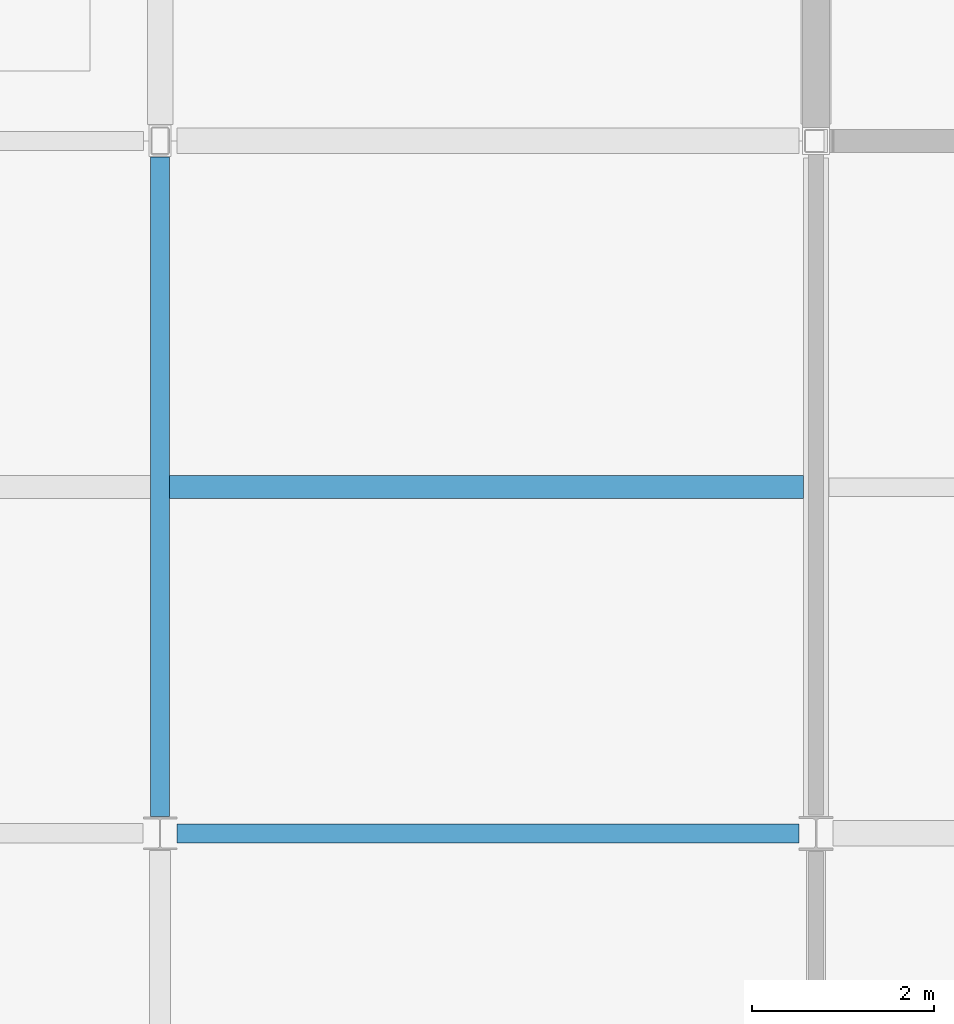
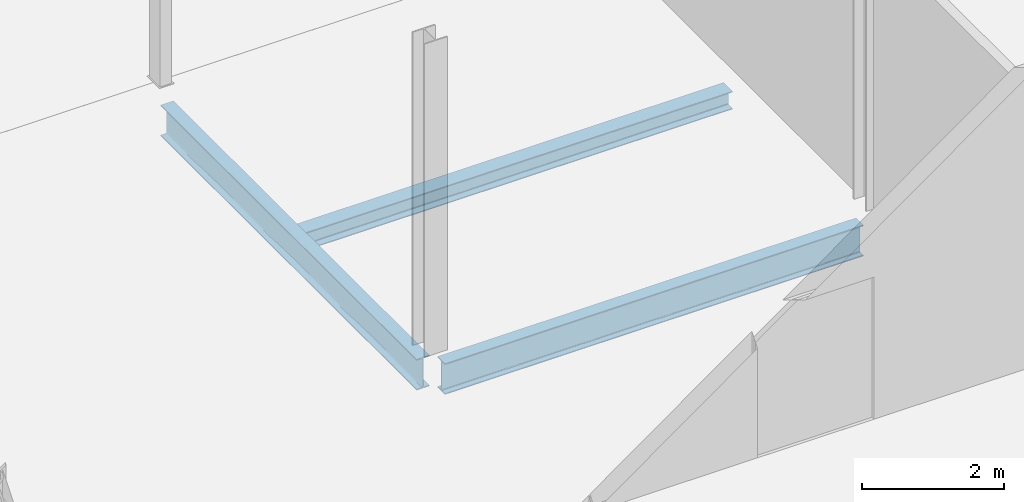
# One storey, part 67 of 229: 3 beams.
"""IFC4 building model written with IfcOpenShell, lengths in metres."""

from ifc_helpers import new_model, si_unit, direction, frame, origin, origin_2d, place, context, subcontext, project, spatial, i_section, extrude, material, material_profile, profile_set, type_object, element, save


model = new_model("IFC4")

# Units and contexts
model_context = context("Model", 3, precision=1e-05, world=origin(), true_north=direction((0.0, 1.0)))
body_context = subcontext(model_context, "Body", "Model", "MODEL_VIEW")
ifc_project = project(units=[si_unit("LENGTHUNIT", "METRE"), si_unit("AREAUNIT", "SQUARE_METRE"), si_unit("VOLUMEUNIT", "CUBIC_METRE"), si_unit("PLANEANGLEUNIT", "RADIAN"), si_unit("MASSUNIT", "GRAM", prefix="KILO")], contexts=[model_context])

# Site, building, storey
site_placement = place(None, origin())
site = spatial("IfcSite", under=ifc_project, at=site_placement, CompositionType="ELEMENT")
building_placement = place(site_placement, origin())
building = spatial("IfcBuilding", under=site, at=building_placement, Name="Calvrana Isthmian Art Gallery", CompositionType="ELEMENT")
storey_placement = place(building_placement, origin())
storey = spatial("IfcBuildingStorey", under=building, at=storey_placement, Name="L00", CompositionType="ELEMENT", Elevation=0.0)

# Beams
ifc_material = material(Name="Steel ASTM A992 Gr 50", Category="steel")
ifc_material_profile_1 = material_profile(ifc_material, i_section(OverallWidth=0.208984375, OverallDepth=0.532958984375, WebThickness=0.01025390625, FlangeThickness=0.015625, FilletRadius=0.02099609375, at=origin_2d()), Name="W21X62")
ifc_profile_set_1 = profile_set([ifc_material_profile_1], Name="Steel ASTM A992 Gr 50")
beam_type_1 = type_object("IfcBeamType", Name="BM-G-W21X62", PredefinedType="BEAM", material=ifc_profile_set_1)
beam_1_placement = place(storey_placement, frame((7.386474609375, 62.0, -0.551513671875), z_axis=(1.0, 0.0, 0.0), x_axis=(0.0, 1.0, 0.0)))
element("IfcBeam", 1, at=beam_1_placement, inside=storey, type_object=beam_type_1, Name="Girder X L00 02-03/I", PredefinedType="BEAM", context=body_context, shape_type="SweptSolid", body=[
    extrude(i_section(OverallWidth=0.208984375, OverallDepth=0.532958984375, WebThickness=0.01025390625, FlangeThickness=0.015625, FilletRadius=0.02099609375, at=origin_2d()), origin(), (0.0, 0.0, 1.0), 6.826904296875),
])
beam_2_placement = place(storey_placement, frame((7.199951171875, 62.1865234375, -0.551513671875), z_axis=(0.0, 1.0, 0.0), x_axis=(-1.0, 0.0, 0.0)))
element("IfcBeam", 2, at=beam_2_placement, inside=storey, type_object=beam_type_1, Name="Girder Y L00 02/I-J", PredefinedType="BEAM", context=body_context, shape_type="SweptSolid", body=[
    extrude(i_section(OverallWidth=0.208984375, OverallDepth=0.532958984375, WebThickness=0.01025390625, FlangeThickness=0.015625, FilletRadius=0.02099609375, at=origin_2d()), origin(), (0.0, 0.0, 1.0), 7.235595703125),
])
ifc_material_profile_2 = material_profile(ifc_material, i_section(OverallWidth=0.25390625, OverallDepth=0.306884765625, WebThickness=0.0087890625, FlangeThickness=0.0146484375, FilletRadius=0.01611328125, at=origin_2d()), Name="W12X53")
ifc_profile_set_2 = profile_set([ifc_material_profile_2], Name="Steel ASTM A992 Gr 50")
beam_type_2 = type_object("IfcBeamType", Name="BM-J-W12X53", PredefinedType="JOIST", material=ifc_profile_set_2)
beam_3_placement = place(storey_placement, frame((7.304443359375, 65.800048828125, -0.4384765625), z_axis=(1.0, 0.0, 0.0), x_axis=(0.0, 1.0, 0.0)))
element("IfcBeam", 3, at=beam_3_placement, inside=storey, type_object=beam_type_2, Name="Composite joist L00 bay 01-08", PredefinedType="JOIST", context=body_context, shape_type="SweptSolid", body=[
    extrude(i_section(OverallWidth=0.25390625, OverallDepth=0.306884765625, WebThickness=0.0087890625, FlangeThickness=0.0146484375, FilletRadius=0.01611328125, at=origin_2d()), origin(), (0.0, 0.0, 1.0), 6.9560546875),
])

save(model, "model.ifc")
